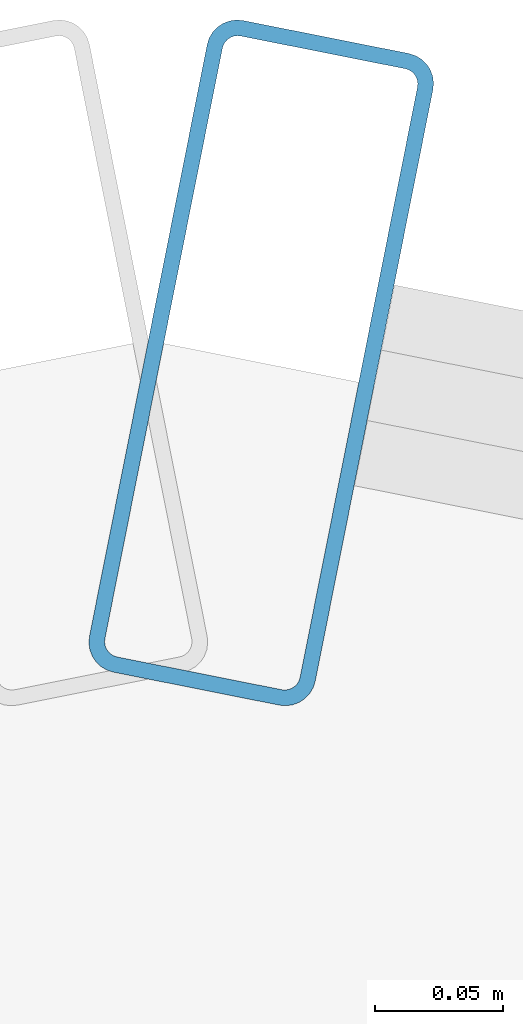
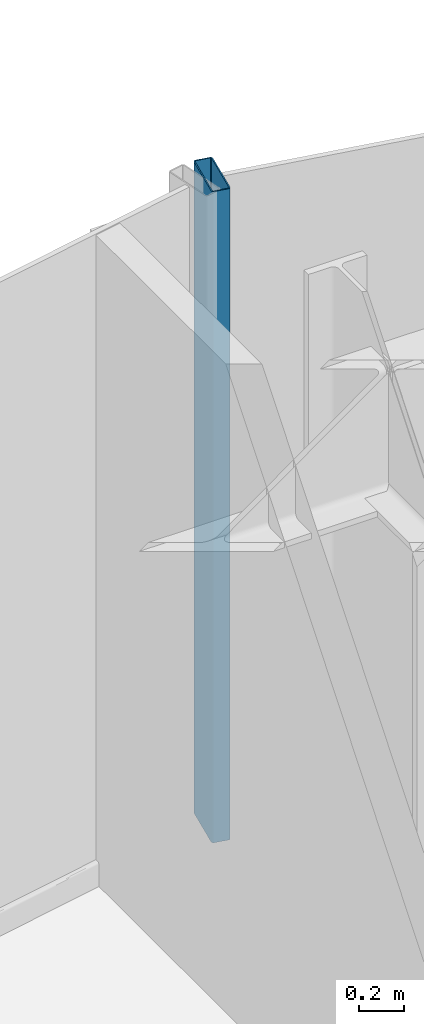
# One storey, part 15 of 25: 1 member, 1 element without a shape of its own.
"""IFC4 building model written with IfcOpenShell, lengths in metres."""

import ifcopenshell
import ifcopenshell.guid

model = None  # the IFC model being written
_history = None  # IfcOwnerHistory: only IFC2X3 demands one
_inside = {}  # id of a spatial element -> (the spatial element, [elements in it])
_under = {}  # id of a project, library or spatial element -> (it, [spatial elements below it])
_declared = {}  # id of a project -> (the project, [libraries it declares])
_typed = {}  # id of a type object -> (the type object, [elements of that type])
_made_of = {}  # id of a material, layer set ... -> (it, [elements and type objects made of it])


def new_model(schema):
    """Start an empty IFC model of exactly this schema.

    Asked for "IFC4X3", IfcOpenShell would pick the latest addendum, in which some entities
    have other attributes; the version numbers below select the first issue.
    IFC2X3 requires an IfcOwnerHistory on every rooted entity: one is made here for all.
    """
    global model, _history
    if schema == "IFC4X3":
        model = ifcopenshell.file(schema_version=(4, 3, 0, 0))
    else:
        model = ifcopenshell.file(schema=schema)
    _inside.clear()
    _under.clear()
    _declared.clear()
    _typed.clear()
    _made_of.clear()
    _history = None
    if model.schema == "IFC2X3":
        org = make("IfcOrganization", Name="unknown")
        user = make(
            "IfcPersonAndOrganization",
            ThePerson=make("IfcPerson", FamilyName="unknown"),
            TheOrganization=org,
        )
        app = make(
            "IfcApplication",
            ApplicationDeveloper=org,
            Version="unknown",
            ApplicationFullName="unknown",
            ApplicationIdentifier="unknown",
        )
        _history = make(
            "IfcOwnerHistory",
            OwningUser=user,
            OwningApplication=app,
            ChangeAction="ADDED",
            CreationDate=0,
        )
    return model


def make(cls, **values):
    """One entity of the class cls with the attributes given. An attribute that is None is left unset."""
    return model.create_entity(
        cls, **{name: value for name, value in values.items() if value is not None}
    )


def rooted(cls, **values):
    """An entity with a GlobalId (a new one), such as an element, a storey or a relation."""
    return make(cls, GlobalId=ifcopenshell.guid.new(), OwnerHistory=_history, **values)


def si_unit(unit_type, name, prefix=None):
    """IfcSIUnit, for example si_unit("LENGTHUNIT", "METRE", prefix="MILLI")."""
    return make("IfcSIUnit", UnitType=unit_type, Prefix=prefix, Name=name)


def assignment(units):
    """IfcUnitAssignment: the units of a project."""
    return None if units is None else make("IfcUnitAssignment", Units=units)


def point(xyz):
    """IfcCartesianPoint."""
    return None if xyz is None else make("IfcCartesianPoint", Coordinates=xyz)


def direction(xyz):
    """IfcDirection."""
    return None if xyz is None else make("IfcDirection", DirectionRatios=xyz)


def frame(location, z_axis=None, x_axis=None):
    """IfcAxis2Placement3D, a coordinate frame: its origin and axes. An axis left out is left unset."""
    return make(
        "IfcAxis2Placement3D",
        Location=point(location),
        Axis=direction(z_axis),
        RefDirection=direction(x_axis),
    )


def frame_2d(location, x_axis=None):
    """IfcAxis2Placement2D, a coordinate frame in the plane: its origin and x axis."""
    return make(
        "IfcAxis2Placement2D", Location=point(location), RefDirection=direction(x_axis)
    )


def origin():
    """The frame at (0, 0, 0) with its axes left unset."""
    return frame((0.0, 0.0, 0.0))


def origin_2d():
    """The frame at (0, 0) in the plane with its x axis left unset."""
    return frame_2d((0.0, 0.0))


def place(relative_to, where):
    """IfcLocalPlacement: puts the frame where relative to a parent placement (None: the world)."""
    return make(
        "IfcLocalPlacement", PlacementRelTo=relative_to, RelativePlacement=where
    )


def context(
    kind, dimensions, precision=None, world=None, true_north=None, identifier=None
):
    """IfcGeometricRepresentationContext, for example the 3D "Model" context."""
    return make(
        "IfcGeometricRepresentationContext",
        ContextIdentifier=identifier,
        ContextType=kind,
        CoordinateSpaceDimension=dimensions,
        Precision=precision,
        WorldCoordinateSystem=world,
        TrueNorth=true_north,
    )


def subcontext(parent, identifier, kind, view, scale=None):
    """IfcGeometricRepresentationSubContext, for example "Body" below "Model"."""
    return make(
        "IfcGeometricRepresentationSubContext",
        ContextIdentifier=identifier,
        ContextType=kind,
        ParentContext=parent,
        TargetScale=scale,
        TargetView=view,
    )


def project(units=None, contexts=None):
    """IfcProject with its units and contexts."""
    return rooted(
        "IfcProject",
        Name="project",
        RepresentationContexts=contexts,
        UnitsInContext=assignment(units),
    )


def spatial(cls, under=None, at=None, **own):
    """A site, building, storey or space (cls), placed at a placement, below another one or the project."""
    s = rooted(cls, ObjectPlacement=at, **own)
    if under is not None:
        _under.setdefault(under.id(), (under, []))[1].append(s)
    return s


def profile(cls, at=None, kind="AREA", **sizes):
    """A parametric profile (cls). Its sizes go by their IFC names, for example OverallWidth=200.0."""
    return make(cls, ProfileType=kind, Position=at, **sizes)


def hollow_rectangle(**sizes):
    """IfcRectangleHollowProfileDef."""
    return profile("IfcRectangleHollowProfileDef", **sizes)


def extrude(swept, where, along, depth):
    """IfcExtrudedAreaSolid: the profile swept, set in the frame where, extruded along a direction by depth."""
    return make(
        "IfcExtrudedAreaSolid",
        SweptArea=swept,
        Position=where,
        ExtrudedDirection=direction(along),
        Depth=depth,
    )


def shape(context_of_items, identifier, shape_type, items):
    """IfcShapeRepresentation: the items that make up one representation, for example the "Body"."""
    return make(
        "IfcShapeRepresentation",
        ContextOfItems=context_of_items,
        RepresentationIdentifier=identifier,
        RepresentationType=shape_type,
        Items=items,
    )


def source(mapping_origin, context_of_items, identifier, shape_type, items):
    """IfcRepresentationMap: a shape defined once, which mapped items show again and again."""
    return make(
        "IfcRepresentationMap",
        MappingOrigin=mapping_origin,
        MappedRepresentation=shape(context_of_items, identifier, shape_type, items),
    )


def transform(
    local_origin,
    x_axis=None,
    y_axis=None,
    z_axis=None,
    scale=None,
    scale2=None,
    scale3=None,
    uniform=True,
):
    """IfcCartesianTransformationOperator3D, or its non-uniform kind. x_axis, y_axis, z_axis: its Axis1, 2, 3."""
    if uniform:
        return make(
            "IfcCartesianTransformationOperator3D",
            Axis1=direction(x_axis),
            Axis2=direction(y_axis),
            LocalOrigin=point(local_origin),
            Scale=scale,
            Axis3=direction(z_axis),
        )
    return make(
        "IfcCartesianTransformationOperator3DnonUniform",
        Axis1=direction(x_axis),
        Axis2=direction(y_axis),
        LocalOrigin=point(local_origin),
        Scale=scale,
        Axis3=direction(z_axis),
        Scale2=scale2,
        Scale3=scale3,
    )


def mapped(mapping_source, mapping_target):
    """IfcMappedItem: shows the shape of a source again, moved by a transform."""
    return make(
        "IfcMappedItem", MappingSource=mapping_source, MappingTarget=mapping_target
    )


def material(Name=None, Category=None):
    """IfcMaterial."""
    return make("IfcMaterial", Name=Name, Category=Category)


def layer(
    of_material, thickness, ventilated=None, Name=None, Category=None, Priority=None
):
    """IfcMaterialLayer: one layer of a wall or slab, of a material (None: an air gap)."""
    return make(
        "IfcMaterialLayer",
        Material=of_material,
        LayerThickness=thickness,
        IsVentilated=ventilated,
        Name=Name,
        Category=Category,
        Priority=Priority,
    )


def layer_set(layers, Name=None):
    """IfcMaterialLayerSet."""
    return make("IfcMaterialLayerSet", MaterialLayers=layers, LayerSetName=Name)


def material_profile(
    of_material, cross_section, Name=None, Category=None, Priority=None
):
    """IfcMaterialProfile: a cross section and its material."""
    return make(
        "IfcMaterialProfile",
        Name=Name,
        Material=of_material,
        Profile=cross_section,
        Priority=Priority,
        Category=Category,
    )


def profile_set(profiles, Name=None, composite=None):
    """IfcMaterialProfileSet."""
    return make(
        "IfcMaterialProfileSet",
        Name=Name,
        MaterialProfiles=profiles,
        CompositeProfile=composite,
    )


def made_of(thing, what):
    """Note that an element or type object is made of a material, layer set ...; save() writes the relation."""
    if what is not None:
        _made_of.setdefault(what.id(), (what, []))[1].append(thing)
    return thing


def type_object(cls, material=None, **own):
    """A type object (cls), such as IfcWallType, which elements share."""
    return made_of(rooted(cls, **own), material)


def element(
    cls,
    number,
    at=None,
    inside=None,
    cuts=None,
    type_object=None,
    material=None,
    context=None,
    identifier="Body",
    shape_type=None,
    held_by="IfcProductDefinitionShape",
    body=None,
    shapes=None,
    **own,
):
    """One element of the class cls, such as IfcWall. Its Tag is "e" and its number.

    at: its placement. inside: the storey or other place that contains it. cuts: it is an
    opening in that element (IfcRelVoidsElement). A single representation is given by context,
    identifier, shape_type and body (its items); several are given by shapes. held_by: the class
    of the entity that holds the representations. save() writes the other relations.
    """
    e = rooted(cls, Tag="e%d" % number, ObjectPlacement=at, **own)
    if body is not None:
        shapes = [shape(context, identifier, shape_type, body)]
    if shapes is not None:
        e.Representation = make(held_by, Representations=shapes)
    if inside is not None:
        _inside.setdefault(inside.id(), (inside, []))[1].append(e)
    if cuts is not None:
        rooted(
            "IfcRelVoidsElement", RelatingBuildingElement=cuts, RelatedOpeningElement=e
        )
    if type_object is not None:
        _typed.setdefault(type_object.id(), (type_object, []))[1].append(e)
    return made_of(e, material)


def aggregate(whole, parts):
    """IfcRelAggregates: a whole, such as a stair, and the parts it consists of."""
    return rooted("IfcRelAggregates", RelatingObject=whole, RelatedObjects=parts)


def save(model, path):
    """Write the relations noted so far, then the file.

    IfcRelAggregates (storeys below a building ...), IfcRelContainedInSpatialStructure (elements
    in a storey), IfcRelDefinesByType, IfcRelAssociatesMaterial and IfcRelDeclares: one each for
    every whole, place, type object, material and project.
    """
    for whole, parts in _under.values():
        aggregate(whole, parts)
    for where, things in _inside.values():
        rooted(
            "IfcRelContainedInSpatialStructure",
            RelatedElements=things,
            RelatingStructure=where,
        )
    for kind, things in _typed.values():
        rooted("IfcRelDefinesByType", RelatedObjects=things, RelatingType=kind)
    for what, things in _made_of.values():
        rooted("IfcRelAssociatesMaterial", RelatedObjects=things, RelatingMaterial=what)
    for by, libraries in _declared.values():
        rooted("IfcRelDeclares", RelatingContext=by, RelatedDefinitions=libraries)
    model.write(path)


model = new_model("IFC4")

# Units and contexts
model_context = context("Model", 3, precision=1e-05, world=origin(), true_north=direction((0.0, 1.0)))
body_context = subcontext(model_context, "Body", "Model", "MODEL_VIEW")
ifc_project = project(units=[si_unit("LENGTHUNIT", "METRE"), si_unit("AREAUNIT", "SQUARE_METRE"), si_unit("VOLUMEUNIT", "CUBIC_METRE"), si_unit("PLANEANGLEUNIT", "RADIAN"), si_unit("MASSUNIT", "GRAM", prefix="KILO")], contexts=[model_context])

# Site, building, storey
site_placement = place(None, origin())
site = spatial("IfcSite", under=ifc_project, at=site_placement, CompositionType="ELEMENT")
building_placement = place(site_placement, origin())
building = spatial("IfcBuilding", under=site, at=building_placement, Name="Nefas-Gora Pilgrimage Tower", CompositionType="ELEMENT")
storey_placement = place(building_placement, frame((0.0, 0.0, 74.800048828125)))
storey = spatial("IfcBuildingStorey", under=building, at=storey_placement, Name="L17", CompositionType="ELEMENT", Elevation=74.800048828125)

# Curtain wall, member
ifc_material_1 = material(Name="Dark ceramic-fritted solar-control aluminium-glass curtain wall", Category="aluminium")
ifc_layer = layer(ifc_material_1, 0.219970703125)
ifc_layer_set = layer_set([ifc_layer], Name="Dark ceramic-fritted solar-control aluminium-glass curtain wall")
curtain_wall_type = type_object("IfcCurtainWallType", Name="CW-SYS-5", PredefinedType="NOTDEFINED", material=ifc_layer_set)
curtain_wall_placement = place(storey_placement, origin())
curtain_wall = element("IfcCurtainWall", 1, at=curtain_wall_placement, inside=storey, type_object=curtain_wall_type, Name="L17 Unitised Curtain Wall CW5", PredefinedType="NOTDEFINED")
ifc_material_2 = material(Name="Anodised architectural aluminium", Category="aluminium")
ifc_material_profile = material_profile(ifc_material_2, hollow_rectangle(XDim=0.090087890625, YDim=0.260009765625, WallThickness=0.006103515625, InnerFilletRadius=0.006103515625, OuterFilletRadius=0.011962890625, at=origin_2d()), Name="ALU MULLION 90x260")
ifc_profile_set = profile_set([ifc_material_profile], Name="Anodised architectural aluminium")
member_type = type_object("IfcMemberType", Name="CWM-MUL-5", PredefinedType="MULLION", material=ifc_profile_set)
shared_shape = source(origin(), body_context, "Body", "SweptSolid", [
    extrude(hollow_rectangle(XDim=0.090087890625, YDim=0.260009765625, WallThickness=0.006103515625, InnerFilletRadius=0.006103515625, OuterFilletRadius=0.011962890625, at=origin_2d()), origin(), (0.0, 0.0, 1.0), 3.550048828125),
])
member_placement = place(storey_placement, frame((-2.205810546875, 24.16357421875, 0.0), z_axis=(0.0, 0.0, 1.0), x_axis=(-0.980782896852, 0.195102304554, 0.0)))
member = element("IfcMember", 2, at=member_placement, type_object=member_type, Name="CW5 Mullion 2", PredefinedType="MULLION", context=body_context, shape_type="MappedRepresentation", body=[
    mapped(shared_shape, transform((0.0, 0.0, 0.0), x_axis=(1.0, 0.0, 0.0), y_axis=(0.0, 1.0, 0.0), z_axis=(0.0, 0.0, 1.0), scale=1.0)),
])
aggregate(curtain_wall, [member])

save(model, "model.ifc")
